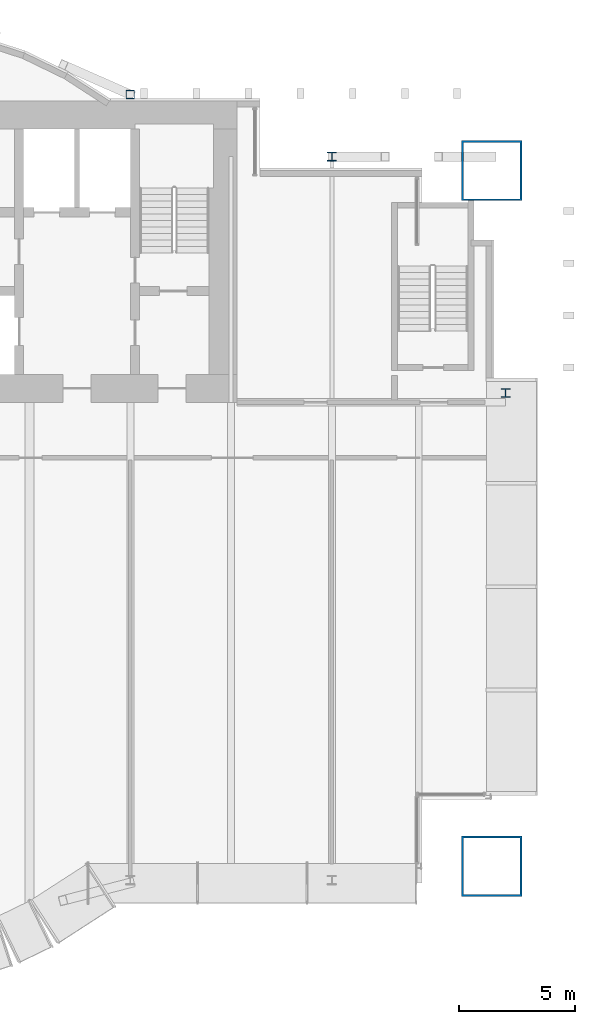
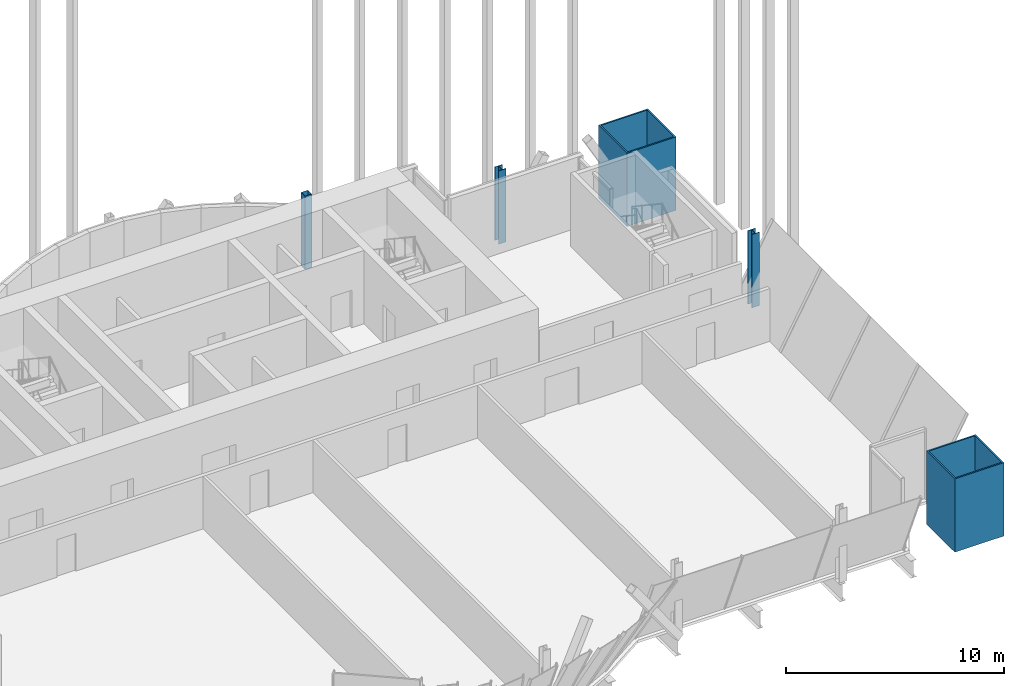
# One storey, part 4 of 33: 5 columns.
"""IFC4 building model written with IfcOpenShell, lengths in metres."""

from ifc_helpers import new_model, si_unit, direction, frame, origin, origin_2d, place, context, subcontext, project, spatial, hollow_rectangle, i_section, extrude, material, material_profile, profile_set, type_object, element, save


model = new_model("IFC4")

# Units and contexts
model_context = context("Model", 3, precision=1e-05, world=origin(), true_north=direction((0.0, 1.0)))
body_context = subcontext(model_context, "Body", "Model", "MODEL_VIEW")
ifc_project = project(units=[si_unit("LENGTHUNIT", "METRE"), si_unit("AREAUNIT", "SQUARE_METRE"), si_unit("VOLUMEUNIT", "CUBIC_METRE"), si_unit("PLANEANGLEUNIT", "RADIAN"), si_unit("MASSUNIT", "GRAM", prefix="KILO")], contexts=[model_context])

# Site, building, storey
site_placement = place(None, origin())
site = spatial("IfcSite", under=ifc_project, at=site_placement, CompositionType="ELEMENT")
building_placement = place(site_placement, origin())
building = spatial("IfcBuilding", under=site, at=building_placement, Name="Bicima Exchange Tower", CompositionType="ELEMENT")
storey_placement = place(building_placement, frame((0.0, 0.0, 140.39990234375)))
storey = spatial("IfcBuildingStorey", under=building, at=storey_placement, Name="L30", CompositionType="ELEMENT", Elevation=140.39990234375)

# Columns
ifc_material_1 = material(Name="Steel ASTM A572 Gr 50", Category="steel")
ifc_material_profile_1 = material_profile(ifc_material_1, hollow_rectangle(XDim=2.60009765625, YDim=2.60009765625, WallThickness=0.080078125, at=origin_2d()))
ifc_profile_set_1 = profile_set([ifc_material_profile_1], Name="Steel ASTM A572 Gr 50")
column_type_1 = type_object("IfcColumnType", Name="Mega column BOX 2600x2600x80", PredefinedType="COLUMN", material=ifc_profile_set_1)
for number, where, z_axis, x_axis, name in (
    (1, (33.0, -33.02197265625, 0.0), (0.0, 0.0, 1.0), (1.0, 0.0, 0.0), "Mega column mega+33.0f"),
    (2, (33.0, -3.0, 0.0), (0.0, 0.0, 1.0), (1.0, 0.0, 0.0), "Mega column mega+33.0r"),
):
    element("IfcColumn", number, at=place(storey_placement, frame(where, z_axis=z_axis, x_axis=x_axis)), inside=storey, type_object=column_type_1, Name=name, PredefinedType="COLUMN", context=body_context, shape_type="SweptSolid", body=[
        extrude(hollow_rectangle(XDim=2.60009765625, YDim=2.60009765625, WallThickness=0.080078125, at=origin_2d()), origin(), (0.0, 0.0, 1.0), 4.10009765625),
    ])
ifc_material_2 = material(Name="Steel ASTM A992 Gr 50", Category="steel")
ifc_material_profile_2 = material_profile(ifc_material_2, i_section(OverallWidth=0.396240234375, OverallDepth=0.381103515625, WebThickness=0.01904296875, FlangeThickness=0.0302734375, at=origin_2d()))
ifc_profile_set_2 = profile_set([ifc_material_profile_2], Name="Steel ASTM A992 Gr 50")
column_type_2 = type_object("IfcColumnType", Name="Perimeter column W14x159", PredefinedType="COLUMN", material=ifc_profile_set_2)
for number, where, z_axis, x_axis, name in (
    (3, (26.10009765625, -2.39990234375, 0.0), (0.0, 0.0, 1.0), (1.0, 0.0, 0.0), "Perimeter column grav+26.1r"),
    (4, (33.60009765625, -12.60009765625, 0.0), (0.0, 0.0, 1.0), (1.0, 0.0, 0.0), "End column end+33.6e"),
):
    element("IfcColumn", number, at=place(storey_placement, frame(where, z_axis=z_axis, x_axis=x_axis)), inside=storey, type_object=column_type_2, Name=name, PredefinedType="COLUMN", context=body_context, shape_type="SweptSolid", body=[
        extrude(i_section(OverallWidth=0.396240234375, OverallDepth=0.381103515625, WebThickness=0.01904296875, FlangeThickness=0.0302734375, at=origin_2d()), origin(), (0.0, 0.0, 1.0), 4.10009765625),
    ])
ifc_material_profile_3 = material_profile(ifc_material_1, hollow_rectangle(XDim=0.355712890625, YDim=0.355712890625, WallThickness=0.01171875, at=origin_2d()))
ifc_profile_set_3 = profile_set([ifc_material_profile_3], Name="Steel ASTM A572 Gr 50")
column_type_3 = type_object("IfcColumnType", Name="Rear pilaster HSS14x14x1/2", PredefinedType="COLUMN", material=ifc_profile_set_3)
column_placement = place(storey_placement, frame((17.39990234375, 0.278076171875, 0.0), z_axis=(0.0, 0.0, 1.0), x_axis=(1.0, 0.0, 0.0)))
element("IfcColumn", 5, at=column_placement, inside=storey, type_object=column_type_3, Name="Rear pilaster rexo+17.4r", PredefinedType="COLUMN", context=body_context, shape_type="SweptSolid", body=[
    extrude(hollow_rectangle(XDim=0.355712890625, YDim=0.355712890625, WallThickness=0.01171875, at=origin_2d()), origin(), (0.0, 0.0, 1.0), 4.10009765625),
])

save(model, "model.ifc")
